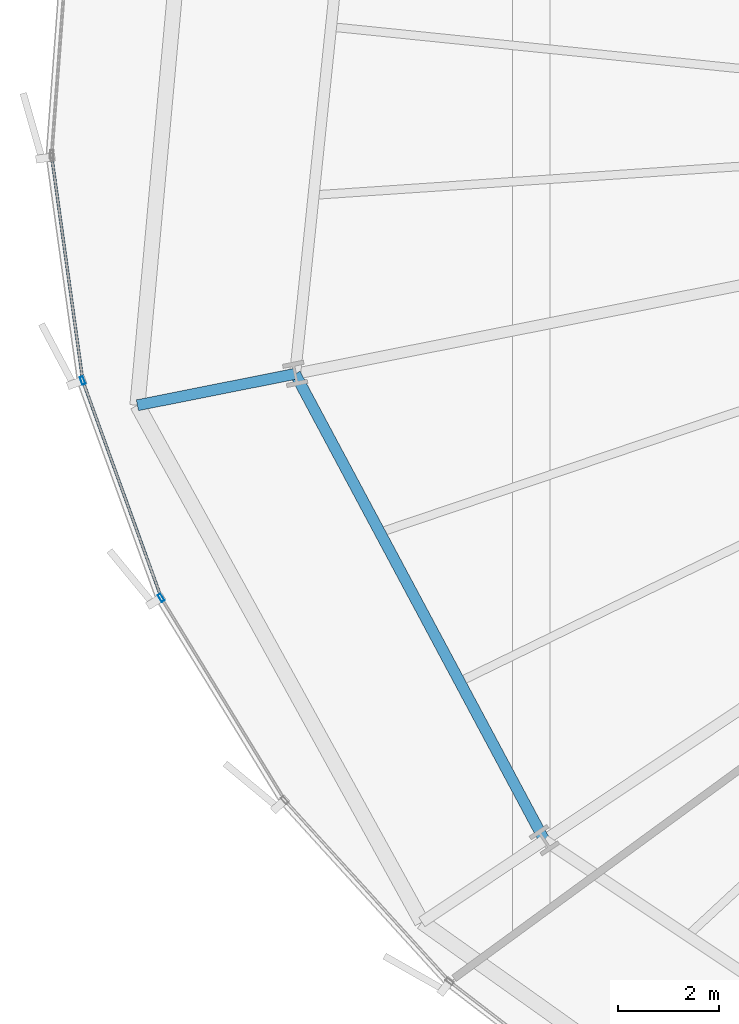
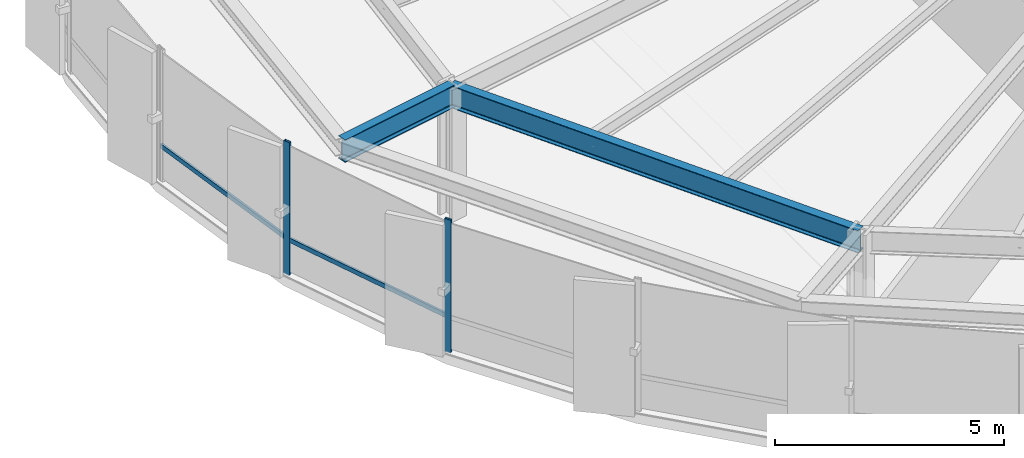
# One storey, part 7 of 42: 4 members, 2 beams, 1 element without a shape of its own.
"""IFC4 building model written with IfcOpenShell, lengths in metres."""

from ifc_helpers import new_model, si_unit, direction, frame, origin, origin_2d, place, context, subcontext, project, spatial, hollow_rectangle, i_section, extrude, source, transform, mapped, material, layer, layer_set, material_profile, profile_set, type_object, element, aggregate, save


model = new_model("IFC4")

# Units and contexts
model_context = context("Model", 3, precision=1e-05, world=origin(), true_north=direction((0.0, 1.0)))
body_context = subcontext(model_context, "Body", "Model", "MODEL_VIEW")
ifc_project = project(units=[si_unit("LENGTHUNIT", "METRE"), si_unit("AREAUNIT", "SQUARE_METRE"), si_unit("VOLUMEUNIT", "CUBIC_METRE"), si_unit("PLANEANGLEUNIT", "RADIAN"), si_unit("MASSUNIT", "GRAM", prefix="KILO"), si_unit("THERMODYNAMICTEMPERATUREUNIT", "KELVIN")], contexts=[model_context])

# Site, building, storey
site_placement = place(None, origin())
site = spatial("IfcSite", under=ifc_project, at=site_placement, CompositionType="ELEMENT")
building_placement = place(site_placement, origin())
building = spatial("IfcBuilding", under=site, at=building_placement, Name="Kethvar Cultural Tower", CompositionType="ELEMENT")
storey_placement = place(building_placement, frame((0.0, 0.0, 37.199951171875)))
storey = spatial("IfcBuildingStorey", under=building, at=storey_placement, Name="L08", CompositionType="ELEMENT", Elevation=37.199951171875)

# Beams
ifc_material_1 = material(Name="Steel S355J2", Category="steel")
ifc_material_profile_1 = material_profile(ifc_material_1, i_section(OverallWidth=0.219970703125, OverallDepth=0.60009765625, WebThickness=0.011962890625, FlangeThickness=0.01904296875, FilletRadius=0.02392578125, at=origin_2d()), Name="Steel S355J2 — IPE600")
ifc_profile_set_1 = profile_set([ifc_material_profile_1], Name="Steel S355J2 — IPE600")
beam_type = type_object("IfcBeamType", Name="BM-IPE600", PredefinedType="BEAM", material=ifc_profile_set_1)
shared_shape_1 = source(origin(), body_context, "Body", "SweptSolid", [
    extrude(i_section(OverallWidth=0.219970703125, OverallDepth=0.60009765625, WebThickness=0.011962890625, FlangeThickness=0.01904296875, FilletRadius=0.02392578125, at=origin_2d()), origin(), (0.0, 0.0, 1.0), 3.199951171875),
])
beam_1_placement = place(storey_placement, frame((19.9658203125, 22.46240234375, 3.248046875), z_axis=(-0.980785550224, -0.195088965533, 0.0), x_axis=(0.195088965533, -0.980785550224, 0.0)))
element("IfcBeam", 1, at=beam_1_placement, inside=storey, type_object=beam_type, Name="L08 Perimeter Cantilever Beam RC-09", PredefinedType="BEAM", context=body_context, shape_type="MappedRepresentation", body=[
    mapped(shared_shape_1, transform((0.0, 0.0, 0.0), scale=1.0)),
])
shared_shape_2 = source(origin(), body_context, "Body", "SweptSolid", [
    extrude(i_section(OverallWidth=0.219970703125, OverallDepth=0.60009765625, WebThickness=0.011962890625, FlangeThickness=0.01904296875, FilletRadius=0.02392578125, at=origin_2d()), origin(), (0.0, 0.0, 1.0), 10.52099609375),
])
beam_2_placement = place(storey_placement, frame((19.9658203125, 22.46240234375, 3.248046875), z_axis=(0.471339616984, -0.881951793162, 0.0), x_axis=(0.881951793162, 0.471339616984, 0.0)))
element("IfcBeam", 2, at=beam_2_placement, inside=storey, type_object=beam_type, Name="L08 Column Ring Tie Beam CR-09", PredefinedType="BEAM", context=body_context, shape_type="MappedRepresentation", body=[
    mapped(shared_shape_2, transform((0.0, 0.0, 0.0), scale=1.0)),
])

# Curtain wall, members
ifc_material_2 = material(Name="Aluminium 6063-T6", Category="aluminium")
ifc_layer = layer(ifc_material_2, 0.179931640625, Name="Aluminium 6063-T6", Category="aluminium")
ifc_layer_set = layer_set([ifc_layer], Name="Aluminium 6063-T6 (180 mm)")
curtain_wall_type = type_object("IfcCurtainWallType", Name="CW-SYS-02-Z1", PredefinedType="NOTDEFINED", material=ifc_layer_set)
curtain_wall_placement = place(storey_placement, origin())
curtain_wall = element("IfcCurtainWall", 3, at=curtain_wall_placement, inside=storey, type_object=curtain_wall_type, Name="L08 Curtain Wall Run 04", PredefinedType="NOTDEFINED")
ifc_material_profile_2 = material_profile(ifc_material_2, hollow_rectangle(XDim=0.06494140625, YDim=0.159912109375, WallThickness=0.0048828125, at=origin_2d()), Name="Aluminium 6063-T6 — RHS160x65x5")
ifc_profile_set_2 = profile_set([ifc_material_profile_2], Name="Aluminium 6063-T6 — RHS160x65x5")
member_type_1 = type_object("IfcMemberType", Name="CW-SYS-02-Z1-MUL", PredefinedType="MULLION", material=ifc_profile_set_2)
shared_shape_3 = source(origin(), body_context, "Body", "SweptSolid", [
    extrude(hollow_rectangle(XDim=0.06494140625, YDim=0.159912109375, WallThickness=0.0048828125, at=origin_2d()), origin(), (0.0, 0.0, 1.0), 3.550048828125),
])
member_1_placement = place(storey_placement, frame((15.7373046875, 22.32958984375, 0.0), z_axis=(0.0, 0.0, 1.0), x_axis=(0.94028812701, 0.340379550213, 0.0)))
member_1 = element("IfcMember", 4, at=member_1_placement, type_object=member_type_1, Name="CW-L08-R04 Mullion 2", PredefinedType="MULLION", context=body_context, shape_type="MappedRepresentation", body=[
    mapped(shared_shape_3, transform((0.0, 0.0, 0.0), scale=1.0)),
])
member_2_placement = place(storey_placement, frame((17.299560546875, 18.007080078125, 0.0), z_axis=(0.0, 0.0, 1.0), x_axis=(0.853259677495, 0.521486263253, 0.0)))
member_2 = element("IfcMember", 5, at=member_2_placement, type_object=member_type_1, Name="CW-L08-R04 Mullion 3", PredefinedType="MULLION", context=body_context, shape_type="MappedRepresentation", body=[
    mapped(shared_shape_3, transform((0.0, 0.0, 0.0), scale=1.0)),
])
ifc_material_profile_3 = material_profile(ifc_material_2, hollow_rectangle(XDim=0.054931640625, YDim=0.1201171875, WallThickness=0.00390625, at=origin_2d()), Name="Aluminium 6063-T6 — RHS120x55x4")
ifc_profile_set_3 = profile_set([ifc_material_profile_3], Name="Aluminium 6063-T6 — RHS120x55x4")
member_type_2 = type_object("IfcMemberType", Name="CW-SYS-02-Z1-TRN", PredefinedType="USERDEFINED", material=ifc_profile_set_3)
shared_shape_4 = source(origin(), body_context, "Body", "SweptSolid", [
    extrude(hollow_rectangle(XDim=0.054931640625, YDim=0.1201171875, WallThickness=0.00390625, at=origin_2d()), origin(), (0.0, 0.0, 1.0), 4.5263671875),
])
member_3_placement = place(storey_placement, frame((15.75341796875, 22.28564453125, 0.949951171875), z_axis=(0.340348175498, -0.940299483907, 0.0), x_axis=(0.940299483907, 0.340348175498, 0.0)))
member_3 = element("IfcMember", 6, at=member_3_placement, type_object=member_type_2, Name="CW-L08-R04 Transom 2", ObjectType="TRANSOM", PredefinedType="USERDEFINED", context=body_context, shape_type="MappedRepresentation", body=[
    mapped(shared_shape_4, transform((0.0, 0.0, 0.0), scale=1.0)),
])
shared_shape_5 = source(origin(), body_context, "Body", "SweptSolid", [
    extrude(hollow_rectangle(XDim=0.054931640625, YDim=0.1201171875, WallThickness=0.00390625, at=origin_2d()), origin(), (0.0, 0.0, 1.0), 4.461181640625),
])
member_4_placement = place(storey_placement, frame((15.12451171875, 26.770751953125, 0.949951171875), z_axis=(0.137252189437, -0.990536135885, 0.0), x_axis=(0.990536135885, 0.137252189437, 0.0)))
member_4 = element("IfcMember", 7, at=member_4_placement, type_object=member_type_2, Name="CW-L08-R04 Transom 1", ObjectType="TRANSOM", PredefinedType="USERDEFINED", context=body_context, shape_type="MappedRepresentation", body=[
    mapped(shared_shape_5, transform((0.0, 0.0, 0.0), scale=1.0)),
])
aggregate(curtain_wall, [member_1, member_2, member_4, member_3])

save(model, "model.ifc")
